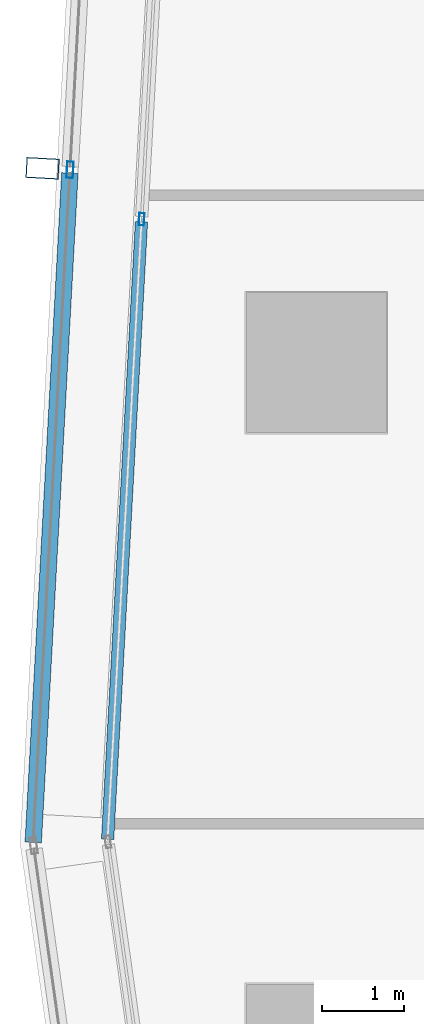
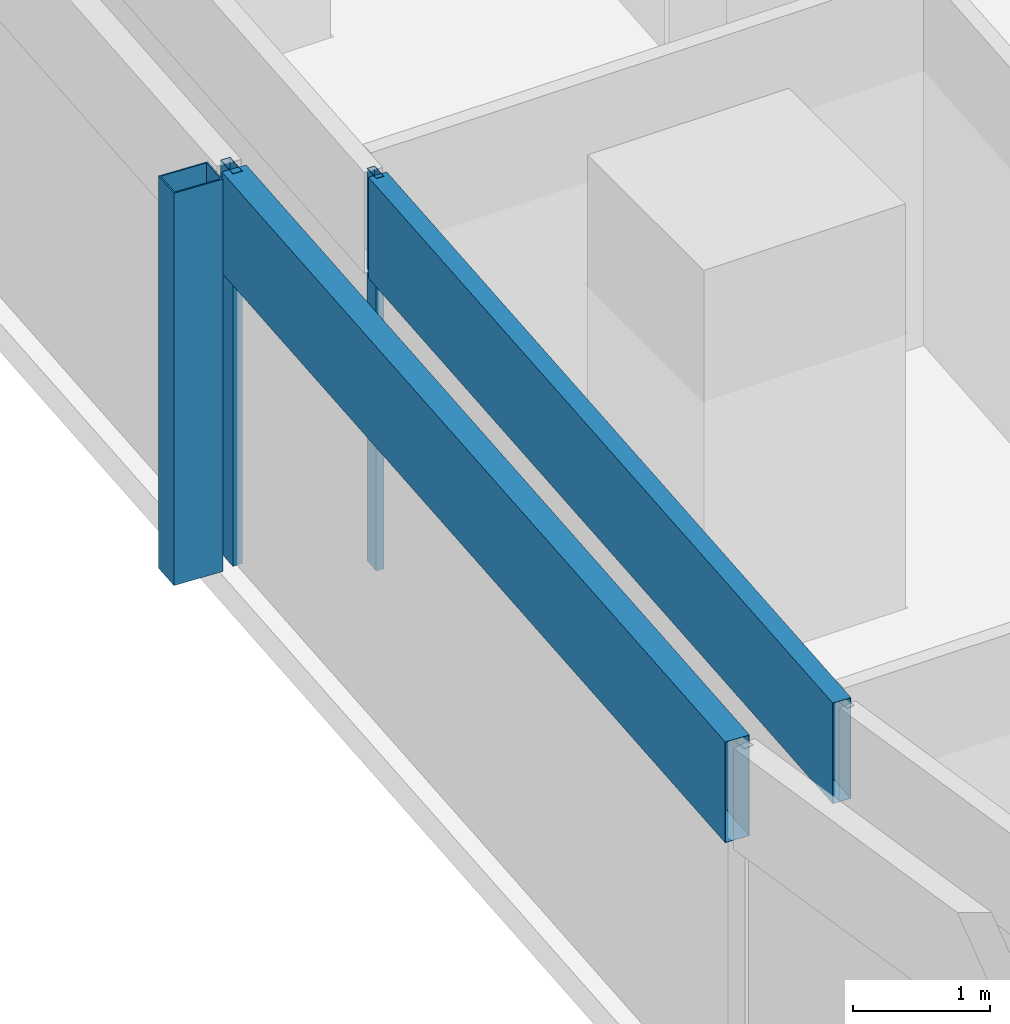
# One storey, part 7 of 40: 5 members, 2 elements without a shape of their own.
"""IFC4 building model written with IfcOpenShell, lengths in metres."""

from ifc_helpers import new_model, si_unit, direction, frame, origin, origin_2d, place, context, subcontext, project, spatial, hollow_rectangle, extrude, material, material_profile, profile_set, type_object, element, aggregate, save


model = new_model("IFC4")

# Units and contexts
model_context = context("Model", 3, precision=1e-05, world=origin(), true_north=direction((0.0, 1.0)))
body_context = subcontext(model_context, "Body", "Model", "MODEL_VIEW")
ifc_project = project(units=[si_unit("LENGTHUNIT", "METRE"), si_unit("AREAUNIT", "SQUARE_METRE"), si_unit("VOLUMEUNIT", "CUBIC_METRE"), si_unit("PLANEANGLEUNIT", "RADIAN"), si_unit("MASSUNIT", "GRAM", prefix="KILO")], contexts=[model_context])

# Site, building, storey
site_placement = place(None, origin())
site = spatial("IfcSite", under=ifc_project, at=site_placement, CompositionType="ELEMENT")
building_placement = place(site_placement, origin())
building = spatial("IfcBuilding", under=site, at=building_placement, Name="Rekha Terrace Tower", CompositionType="ELEMENT")
storey_placement = place(building_placement, frame((0.0, 0.0, 117.800048828125)))
storey = spatial("IfcBuildingStorey", under=building, at=storey_placement, Name="L29", CompositionType="ELEMENT", Elevation=117.800048828125)

# Curtain wall, member
ifc_material_1 = material(Name="Aluminium framing", Category="aluminium")
curtain_wall_type_1 = type_object("IfcCurtainWallType", Name="CW2 double skin outer glazing", PredefinedType="USERDEFINED", material=ifc_material_1)
curtain_wall_1_placement = place(storey_placement, origin())
curtain_wall_1 = element("IfcCurtainWall", 1, at=curtain_wall_1_placement, inside=storey, type_object=curtain_wall_type_1, Name="CW2 double skin outer glazing", ObjectType="DOUBLE SKIN OUTER GLAZING", PredefinedType="USERDEFINED")
ifc_material_2 = material(Name="Steel S355 with fluorocarbon finish", Category="steel")
ifc_material_profile_1 = material_profile(ifc_material_2, hollow_rectangle(XDim=0.25, YDim=0.39990234375, WallThickness=0.012451171875, at=origin_2d()), Name="RHS400x250x12.5")
ifc_profile_set_1 = profile_set([ifc_material_profile_1], Name="Steel S355 with fluorocarbon finish")
member_type_1 = type_object("IfcMemberType", Name="BL1 facade blade RHS 400 x 250", PredefinedType="USERDEFINED", material=ifc_profile_set_1)
member_1_placement = place(storey_placement, frame((5.073974609375, 35.9609375, 0.0), z_axis=(0.0, 0.0, 1.0), x_axis=(-0.054742798353, -0.998500488747, 0.0)))
member_1 = element("IfcMember", 2, at=member_1_placement, type_object=member_type_1, Name="Facade blade", ObjectType="FACADE BLADE", PredefinedType="USERDEFINED", context=body_context, shape_type="SweptSolid", body=[
    extrude(hollow_rectangle(XDim=0.25, YDim=0.39990234375, WallThickness=0.012451171875, at=origin_2d()), origin(), (0.0, 0.0, 1.0), 3.5),
])

# Curtain wall, members
curtain_wall_type_2 = type_object("IfcCurtainWallType", Name="CW1 double skin inner glazing", PredefinedType="USERDEFINED", material=ifc_material_1)
curtain_wall_2_placement = place(storey_placement, origin())
curtain_wall_2 = element("IfcCurtainWall", 3, at=curtain_wall_2_placement, inside=storey, type_object=curtain_wall_type_2, Name="CW1 double skin inner glazing", ObjectType="DOUBLE SKIN INNER GLAZING", PredefinedType="USERDEFINED")
ifc_material_3 = material(Name="Aluminium mullion section", Category="aluminium")
ifc_material_profile_2 = material_profile(ifc_material_3, hollow_rectangle(XDim=0.06494140625, YDim=0.14990234375, WallThickness=0.00390625, at=origin_2d()), Name="AL RHS 65x150")
ifc_profile_set_2 = profile_set([ifc_material_profile_2], Name="Aluminium mullion section")
member_type_2 = type_object("IfcMemberType", Name="CW1 mullion RHS 65 x 150", PredefinedType="MULLION", material=ifc_profile_set_2)
member_2_placement = place(storey_placement, frame((6.27685546875, 35.343017578125, 0.0), z_axis=(0.0, 0.0, 1.0), x_axis=(0.99850051318, -0.054742352707, 0.0)))
member_2 = element("IfcMember", 4, at=member_2_placement, type_object=member_type_2, Name="CW1 mullion 4", PredefinedType="MULLION", context=body_context, shape_type="SweptSolid", body=[
    extrude(hollow_rectangle(XDim=0.06494140625, YDim=0.14990234375, WallThickness=0.00390625, at=origin_2d()), origin(), (0.0, 0.0, 1.0), 3.5),
])
ifc_material_4 = material(Name="Insulated aluminium spandrel box", Category="aluminium")
ifc_material_profile_3 = material_profile(ifc_material_4, hollow_rectangle(XDim=0.14990234375, YDim=0.89990234375, WallThickness=0.0029296875, at=origin_2d()), Name="AL SPANDREL BOX 150x900")
ifc_profile_set_3 = profile_set([ifc_material_profile_3], Name="Insulated aluminium spandrel box")
member_type_3 = type_object("IfcMemberType", Name="CW1 spandrel transom 150 x 900", PredefinedType="USERDEFINED", material=ifc_profile_set_3)
member_3_placement = place(storey_placement, frame((6.275146484375, 35.310546875, 3.050048828125), z_axis=(-0.054756855706, -0.998499717953, 0.0), x_axis=(0.998499717953, -0.054756855706, 0.0)))
member_3 = element("IfcMember", 5, at=member_3_placement, type_object=member_type_3, Name="CW1 spandrel transom 4", ObjectType="TRANSOM", PredefinedType="USERDEFINED", context=body_context, shape_type="SweptSolid", body=[
    extrude(hollow_rectangle(XDim=0.14990234375, YDim=0.89990234375, WallThickness=0.0029296875, at=origin_2d()), origin(), (0.0, 0.0, 1.0), 7.50830078125),
])
aggregate(curtain_wall_2, [member_2, member_3])

# Member
ifc_material_profile_4 = material_profile(ifc_material_3, hollow_rectangle(XDim=0.080078125, YDim=0.199951171875, WallThickness=0.00390625, at=origin_2d()), Name="AL RHS 80x200")
ifc_profile_set_4 = profile_set([ifc_material_profile_4], Name="Aluminium mullion section")
member_type_4 = type_object("IfcMemberType", Name="CW2 mullion RHS 80 x 200", PredefinedType="MULLION", material=ifc_profile_set_4)
member_4_placement = place(storey_placement, frame((5.408447265625, 35.942626953125, 0.0), z_axis=(0.0, 0.0, 1.0), x_axis=(0.99850051318, -0.054742352707, 0.0)))
member_4 = element("IfcMember", 6, at=member_4_placement, type_object=member_type_4, Name="CW2 mullion 4", PredefinedType="MULLION", context=body_context, shape_type="SweptSolid", body=[
    extrude(hollow_rectangle(XDim=0.080078125, YDim=0.199951171875, WallThickness=0.00390625, at=origin_2d()), origin(), (0.0, 0.0, 1.0), 3.5),
])

ifc_material_profile_5 = material_profile(ifc_material_4, hollow_rectangle(XDim=0.199951171875, YDim=0.89990234375, WallThickness=0.0029296875, at=origin_2d()), Name="AL SPANDREL BOX 200x900")
ifc_profile_set_5 = profile_set([ifc_material_profile_5], Name="Insulated aluminium spandrel box")
member_type_5 = type_object("IfcMemberType", Name="CW2 spandrel transom 200 x 900", PredefinedType="USERDEFINED", material=ifc_profile_set_5)
member_5_placement = place(storey_placement, frame((5.40625, 35.902587890625, 3.050048828125), z_axis=(-0.054737434401, -0.998500782812, 0.0), x_axis=(0.998500782812, -0.054737434401, 0.0)))
member_5 = element("IfcMember", 7, at=member_5_placement, type_object=member_type_5, Name="CW2 spandrel transom 4", ObjectType="TRANSOM", PredefinedType="USERDEFINED", context=body_context, shape_type="SweptSolid", body=[
    extrude(hollow_rectangle(XDim=0.199951171875, YDim=0.89990234375, WallThickness=0.0029296875, at=origin_2d()), origin(), (0.0, 0.0, 1.0), 8.139892578125),
])

aggregate(curtain_wall_1, [member_4, member_5, member_1])

save(model, "model.ifc")
